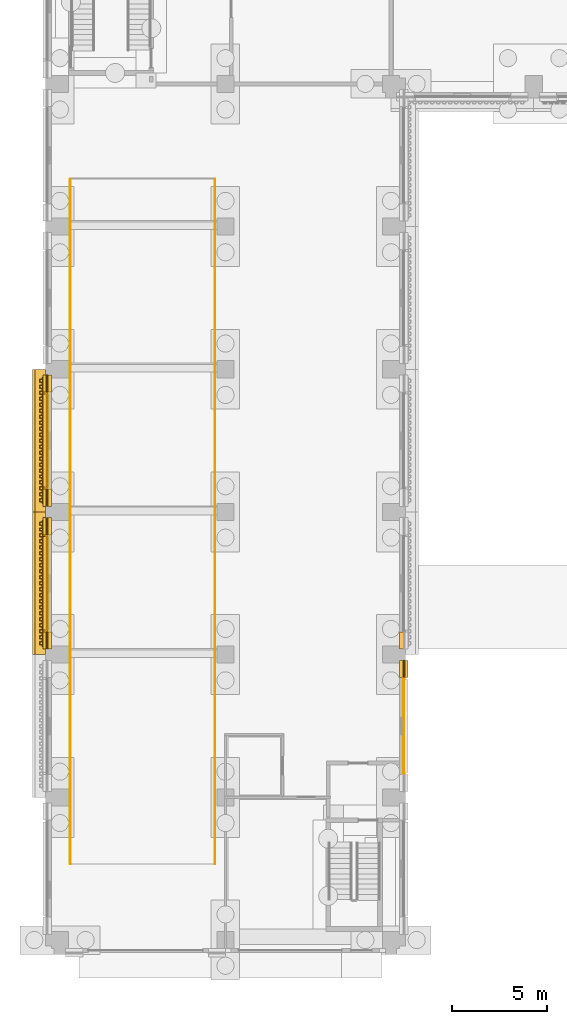
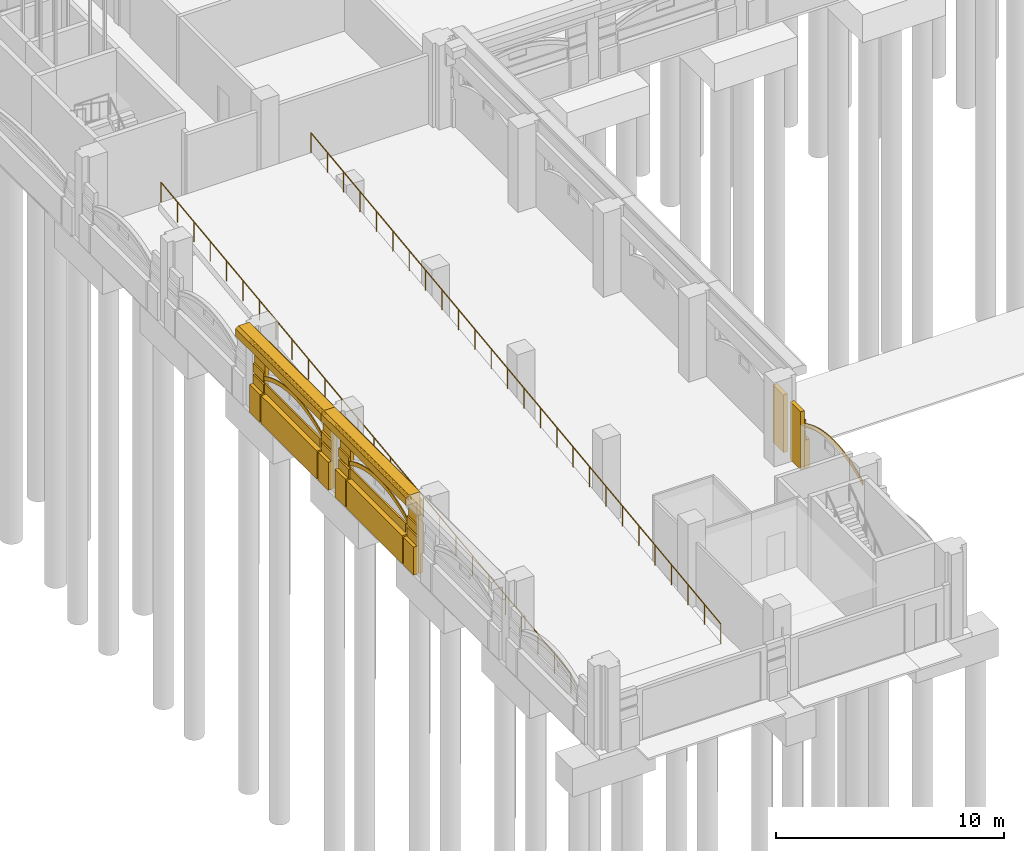
# One storey, part 61 of 99: 34 coverings, 2 railings.
"""IFC4 building model written with IfcOpenShell, lengths in metres."""

from ifc_helpers import new_model, si_unit, direction, frame, origin, origin_2d, place, context, subcontext, project, spatial, polyline, circle, outline, extrude, material, layer, layer_set, type_object, element, save


model = new_model("IFC4")

# Units and contexts
model_context = context("Model", 3, precision=1e-05, world=origin(), true_north=direction((0.0, 1.0)))
body_context = subcontext(model_context, "Body", "Model", "MODEL_VIEW")
ifc_project = project(units=[si_unit("LENGTHUNIT", "METRE"), si_unit("AREAUNIT", "SQUARE_METRE"), si_unit("VOLUMEUNIT", "CUBIC_METRE"), si_unit("PLANEANGLEUNIT", "RADIAN"), si_unit("MASSUNIT", "GRAM", prefix="KILO")], contexts=[model_context])

# Site, building, storey
site_placement = place(None, origin())
site = spatial("IfcSite", under=ifc_project, at=site_placement, CompositionType="ELEMENT")
building_placement = place(site_placement, origin())
building = spatial("IfcBuilding", under=site, at=building_placement, Name="Cour d'Honneur Mobility Palace", CompositionType="ELEMENT")
storey_placement = place(building_placement, origin())
storey = spatial("IfcBuildingStorey", under=building, at=storey_placement, Name="L00", CompositionType="ELEMENT", Elevation=0.0)

# Coverings
ifc_material_1 = material(Name="Cast limestone", Category="masonry")
ifc_layer_1 = layer(ifc_material_1, 0.050048828125)
ifc_layer_set_1 = layer_set([ifc_layer_1], Name="Cast limestone")
covering_type_1 = type_object("IfcCoveringType", Name="Arch hood", PredefinedType="CLADDING", material=ifc_layer_set_1)
for number, where, z_axis, x_axis, name in (
    (1, (18.10009765625, 8.699951171875, 2.179931640625), (1.0, 0.0, 0.0), (0.0, 0.893604607308, 0.448854994176), "Arch hood AH-2"),
    (2, (-0.699951171875, 28.800048828125, 2.179931640625), (-1.0, 0.0, 0.0), (0.0, -0.893604607308, 0.448854994176), "Arch hood AH-56"),
    (3, (-0.699951171875, 21.300048828125, 2.179931640625), (-1.0, 0.0, 0.0), (0.0, -0.893604607308, 0.448854994176), "Arch hood AH-57"),
):
    element("IfcCovering", number, at=place(storey_placement, frame(where, z_axis=z_axis, x_axis=x_axis)), inside=storey, type_object=covering_type_1, Name=name, PredefinedType="CLADDING", context=body_context, shape_type="SweptSolid", body=[
        extrude(outline(polyline([(0.0, 0.0), (0.35681066731556765, 2.7755575615628914e-17), (0.7020064606072944, -0.022579595743628944), (1.0367907964215308, -0.06643079839719385), (1.3617125957426337, -0.129916867910564), (1.677101612077335, -0.2118373946082709), (1.9837229270167351, -0.31175705040594615), (2.2813593776637964, -0.4290203374513023), (2.570556878131994, -0.5636282580346337), (2.8512068469728096, -0.7152530632297959), (3.1229815352600987, -0.884003334485308), (3.3862076896297117, -1.070316404466126), (3.640229812229361, -1.2744094360692875), (3.885155482217271, -1.4971560923344107), (4.120218615712047, -1.7395376154593394), (4.344433961354672, -2.0029715780165787), (4.557470763348117, -2.2892043037950724), (4.656205712018263, -2.0926374700096892), (4.44327849376363, -1.8061865790438643), (4.218953564382193, -1.5429707816739562), (3.9838904308874175, -1.3005892585490275), (3.73907434463832, -1.0776244370965733), (3.484942638299858, -0.873749570680743), (3.221716483930245, -0.6874365006999249), (2.949941795642956, -0.5186862294444128), (2.6692918268021404, -0.3670614242492506), (2.3800943263339427, -0.23245350366591921), (2.0824578756868815, -0.11519021662056306), (1.7758365607474815, -0.015270560822887802), (1.460557128151593, 0.06686813106215028), (1.1355257450916771, 0.1301360353881893), (0.8007414092774409, 0.17398723804175414), (0.4556551997245267, 0.1967849989727143), (0.09873494867014648, 0.19656683378538312), (0.0, 0.0)])), origin(), (0.0, 0.0, -1.0), 0.050048828125),
    ])
ifc_material_2 = material(Name="Cast limestone", Category="masonry")
ifc_layer_2 = layer(ifc_material_2, 0.14990234375)
ifc_layer_set_2 = layer_set([ifc_layer_2], Name="Cast limestone")
covering_type_2 = type_object("IfcCoveringType", Name="Dentil course", PredefinedType="CLADDING", material=ifc_layer_set_2)
covering_1_placement = place(storey_placement, frame((0.0, 0.0, 3.949951171875)))
element("IfcCovering", 4, at=covering_1_placement, inside=storey, type_object=covering_type_2, Name="Dentil course DC-67", PredefinedType="CLADDING", context=body_context, shape_type="SweptSolid", body=[
    extrude(outline(polyline([(-0.89990234375, 29.550048828125), (-0.89990234375, 22.949951171875), (-0.929931640625, 22.949951171875), (-0.929931640625, 22.949951171875), (-0.929931640625, 23.028564453125), (-1.050048828125, 23.028564453125), (-1.050048828125, 23.185791015625), (-0.929931640625, 23.185791015625), (-0.929931640625, 23.264404296875), (-0.929931640625, 23.264404296875), (-0.929931640625, 23.3427734375), (-1.050048828125, 23.3427734375), (-1.050048828125, 23.5), (-0.929931640625, 23.5), (-0.929931640625, 23.57861328125), (-0.929931640625, 23.57861328125), (-0.929931640625, 23.6572265625), (-1.050048828125, 23.6572265625), (-1.050048828125, 23.814208984375), (-0.929931640625, 23.814208984375), (-0.929931640625, 23.892822265625), (-0.929931640625, 23.892822265625), (-0.929931640625, 23.971435546875), (-1.050048828125, 23.971435546875), (-1.050048828125, 24.128662109375), (-0.929931640625, 24.128662109375), (-0.929931640625, 24.20703125), (-0.929931640625, 24.20703125), (-0.929931640625, 24.28564453125), (-1.050048828125, 24.28564453125), (-1.050048828125, 24.44287109375), (-0.929931640625, 24.44287109375), (-0.929931640625, 24.521484375), (-0.929931640625, 24.521484375), (-0.929931640625, 24.60009765625), (-1.050048828125, 24.60009765625), (-1.050048828125, 24.757080078125), (-0.929931640625, 24.757080078125), (-0.929931640625, 24.835693359375), (-0.929931640625, 24.835693359375), (-0.929931640625, 24.914306640625), (-1.050048828125, 24.914306640625), (-1.050048828125, 25.071533203125), (-0.929931640625, 25.071533203125), (-0.929931640625, 25.14990234375), (-0.929931640625, 25.14990234375), (-0.929931640625, 25.228515625), (-1.050048828125, 25.228515625), (-1.050048828125, 25.3857421875), (-0.929931640625, 25.3857421875), (-0.929931640625, 25.46435546875), (-0.929931640625, 25.46435546875), (-0.929931640625, 25.54296875), (-1.050048828125, 25.54296875), (-1.050048828125, 25.699951171875), (-0.929931640625, 25.699951171875), (-0.929931640625, 25.778564453125), (-0.929931640625, 25.778564453125), (-0.929931640625, 25.857177734375), (-1.050048828125, 25.857177734375), (-1.050048828125, 26.014404296875), (-0.929931640625, 26.014404296875), (-0.929931640625, 26.0927734375), (-0.929931640625, 26.0927734375), (-0.929931640625, 26.17138671875), (-1.050048828125, 26.17138671875), (-1.050048828125, 26.32861328125), (-0.929931640625, 26.32861328125), (-0.929931640625, 26.4072265625), (-0.929931640625, 26.4072265625), (-0.929931640625, 26.485595703125), (-1.050048828125, 26.485595703125), (-1.050048828125, 26.642822265625), (-0.929931640625, 26.642822265625), (-0.929931640625, 26.721435546875), (-0.929931640625, 26.721435546875), (-0.929931640625, 26.800048828125), (-1.050048828125, 26.800048828125), (-1.050048828125, 26.95703125), (-0.929931640625, 26.95703125), (-0.929931640625, 27.03564453125), (-0.929931640625, 27.03564453125), (-0.929931640625, 27.1142578125), (-1.050048828125, 27.1142578125), (-1.050048828125, 27.271484375), (-0.929931640625, 27.271484375), (-0.929931640625, 27.35009765625), (-0.929931640625, 27.35009765625), (-0.929931640625, 27.428466796875), (-1.050048828125, 27.428466796875), (-1.050048828125, 27.585693359375), (-0.929931640625, 27.585693359375), (-0.929931640625, 27.664306640625), (-0.929931640625, 27.664306640625), (-0.929931640625, 27.742919921875), (-1.050048828125, 27.742919921875), (-1.050048828125, 27.89990234375), (-0.929931640625, 27.89990234375), (-0.929931640625, 27.978515625), (-0.929931640625, 27.978515625), (-0.929931640625, 28.05712890625), (-1.050048828125, 28.05712890625), (-1.050048828125, 28.21435546875), (-0.929931640625, 28.21435546875), (-0.929931640625, 28.29296875), (-0.929931640625, 28.29296875), (-0.929931640625, 28.371337890625), (-1.050048828125, 28.371337890625), (-1.050048828125, 28.528564453125), (-0.929931640625, 28.528564453125), (-0.929931640625, 28.607177734375), (-0.929931640625, 28.607177734375), (-0.929931640625, 28.685791015625), (-1.050048828125, 28.685791015625), (-1.050048828125, 28.8427734375), (-0.929931640625, 28.8427734375), (-0.929931640625, 28.92138671875), (-0.929931640625, 28.92138671875), (-0.929931640625, 29.0), (-1.050048828125, 29.0), (-1.050048828125, 29.1572265625), (-0.929931640625, 29.1572265625), (-0.929931640625, 29.235595703125), (-0.929931640625, 29.235595703125), (-0.929931640625, 29.314208984375), (-1.050048828125, 29.314208984375), (-1.050048828125, 29.471435546875), (-0.929931640625, 29.471435546875), (-0.929931640625, 29.550048828125), (-0.89990234375, 29.550048828125)])), origin(), (0.0, 0.0, 1.0), 0.150146484375),
])
covering_2_placement = place(storey_placement, frame((0.0, 0.0, 3.949951171875)))
element("IfcCovering", 5, at=covering_2_placement, inside=storey, type_object=covering_type_2, Name="Dentil course DC-68", PredefinedType="CLADDING", context=body_context, shape_type="SweptSolid", body=[
    extrude(outline(polyline([(-0.89990234375, 22.050048828125), (-0.89990234375, 15.449951171875), (-0.929931640625, 15.449951171875), (-0.929931640625, 15.449951171875), (-0.929931640625, 15.528564453125), (-1.050048828125, 15.528564453125), (-1.050048828125, 15.685791015625), (-0.929931640625, 15.685791015625), (-0.929931640625, 15.764404296875), (-0.929931640625, 15.764404296875), (-0.929931640625, 15.8427734375), (-1.050048828125, 15.8427734375), (-1.050048828125, 16.0), (-0.929931640625, 16.0), (-0.929931640625, 16.07861328125), (-0.929931640625, 16.07861328125), (-0.929931640625, 16.1572265625), (-1.050048828125, 16.1572265625), (-1.050048828125, 16.314208984375), (-0.929931640625, 16.314208984375), (-0.929931640625, 16.392822265625), (-0.929931640625, 16.392822265625), (-0.929931640625, 16.471435546875), (-1.050048828125, 16.471435546875), (-1.050048828125, 16.628662109375), (-0.929931640625, 16.628662109375), (-0.929931640625, 16.70703125), (-0.929931640625, 16.70703125), (-0.929931640625, 16.78564453125), (-1.050048828125, 16.78564453125), (-1.050048828125, 16.94287109375), (-0.929931640625, 16.94287109375), (-0.929931640625, 17.021484375), (-0.929931640625, 17.021484375), (-0.929931640625, 17.10009765625), (-1.050048828125, 17.10009765625), (-1.050048828125, 17.257080078125), (-0.929931640625, 17.257080078125), (-0.929931640625, 17.335693359375), (-0.929931640625, 17.335693359375), (-0.929931640625, 17.414306640625), (-1.050048828125, 17.414306640625), (-1.050048828125, 17.571533203125), (-0.929931640625, 17.571533203125), (-0.929931640625, 17.64990234375), (-0.929931640625, 17.64990234375), (-0.929931640625, 17.728515625), (-1.050048828125, 17.728515625), (-1.050048828125, 17.8857421875), (-0.929931640625, 17.8857421875), (-0.929931640625, 17.96435546875), (-0.929931640625, 17.96435546875), (-0.929931640625, 18.04296875), (-1.050048828125, 18.04296875), (-1.050048828125, 18.199951171875), (-0.929931640625, 18.199951171875), (-0.929931640625, 18.278564453125), (-0.929931640625, 18.278564453125), (-0.929931640625, 18.357177734375), (-1.050048828125, 18.357177734375), (-1.050048828125, 18.514404296875), (-0.929931640625, 18.514404296875), (-0.929931640625, 18.5927734375), (-0.929931640625, 18.5927734375), (-0.929931640625, 18.67138671875), (-1.050048828125, 18.67138671875), (-1.050048828125, 18.82861328125), (-0.929931640625, 18.82861328125), (-0.929931640625, 18.9072265625), (-0.929931640625, 18.9072265625), (-0.929931640625, 18.985595703125), (-1.050048828125, 18.985595703125), (-1.050048828125, 19.142822265625), (-0.929931640625, 19.142822265625), (-0.929931640625, 19.221435546875), (-0.929931640625, 19.221435546875), (-0.929931640625, 19.300048828125), (-1.050048828125, 19.300048828125), (-1.050048828125, 19.45703125), (-0.929931640625, 19.45703125), (-0.929931640625, 19.53564453125), (-0.929931640625, 19.53564453125), (-0.929931640625, 19.6142578125), (-1.050048828125, 19.6142578125), (-1.050048828125, 19.771484375), (-0.929931640625, 19.771484375), (-0.929931640625, 19.85009765625), (-0.929931640625, 19.85009765625), (-0.929931640625, 19.928466796875), (-1.050048828125, 19.928466796875), (-1.050048828125, 20.085693359375), (-0.929931640625, 20.085693359375), (-0.929931640625, 20.164306640625), (-0.929931640625, 20.164306640625), (-0.929931640625, 20.242919921875), (-1.050048828125, 20.242919921875), (-1.050048828125, 20.39990234375), (-0.929931640625, 20.39990234375), (-0.929931640625, 20.478515625), (-0.929931640625, 20.478515625), (-0.929931640625, 20.55712890625), (-1.050048828125, 20.55712890625), (-1.050048828125, 20.71435546875), (-0.929931640625, 20.71435546875), (-0.929931640625, 20.79296875), (-0.929931640625, 20.79296875), (-0.929931640625, 20.871337890625), (-1.050048828125, 20.871337890625), (-1.050048828125, 21.028564453125), (-0.929931640625, 21.028564453125), (-0.929931640625, 21.107177734375), (-0.929931640625, 21.107177734375), (-0.929931640625, 21.185791015625), (-1.050048828125, 21.185791015625), (-1.050048828125, 21.3427734375), (-0.929931640625, 21.3427734375), (-0.929931640625, 21.42138671875), (-0.929931640625, 21.42138671875), (-0.929931640625, 21.5), (-1.050048828125, 21.5), (-1.050048828125, 21.6572265625), (-0.929931640625, 21.6572265625), (-0.929931640625, 21.735595703125), (-0.929931640625, 21.735595703125), (-0.929931640625, 21.814208984375), (-1.050048828125, 21.814208984375), (-1.050048828125, 21.971435546875), (-0.929931640625, 21.971435546875), (-0.929931640625, 22.050048828125), (-0.89990234375, 22.050048828125)])), origin(), (0.0, 0.0, 1.0), 0.150146484375),
])
ifc_material_3 = material(Name="Cast limestone", Category="masonry")
ifc_layer_3 = layer(ifc_material_3, 0.699951171875)
ifc_layer_set_3 = layer_set([ifc_layer_3], Name="Cast limestone")
covering_type_3 = type_object("IfcCoveringType", Name="Entablature", PredefinedType="CLADDING", material=ifc_layer_set_3)
for number, where, z_axis, x_axis, name in (
    (6, (-0.75, 30.0, 3.39990234375), (0.0, 1.0, 0.0), (-1.0, 0.0, 0.0), "Entablature EN-67"),
    (7, (-0.75, 22.5, 3.39990234375), (0.0, 1.0, 0.0), (-1.0, 0.0, 0.0), "Entablature EN-68"),
):
    element("IfcCovering", number, at=place(storey_placement, frame(where, z_axis=z_axis, x_axis=x_axis)), inside=storey, type_object=covering_type_3, Name=name, PredefinedType="CLADDING", context=body_context, shape_type="SweptSolid", body=[
        extrude(outline(polyline([(0.0, 0.0), (0.14990234375, 0.0), (0.14990234375, 0.7001953125), (0.699951171875, 0.7001953125), (0.699951171875, 1.10009765625), (0.550048828125, 1.2001953125), (0.0, 1.2001953125), (0.0, 0.0)])), origin(), (0.0, 0.0, -1.0), 7.5),
    ])
ifc_material_4 = material(Name="Cast limestone", Category="masonry")
ifc_layer_4 = layer(ifc_material_4, 0.25)
ifc_layer_set_4 = layer_set([ifc_layer_4], Name="Cast limestone")
covering_type_4 = type_object("IfcCoveringType", Name="Plinth course", PredefinedType="CLADDING", material=ifc_layer_set_4)
covering_3_placement = place(storey_placement, origin())
element("IfcCovering", 8, at=covering_3_placement, inside=storey, type_object=covering_type_4, Name="Plinth course PI-7", PredefinedType="CLADDING", context=body_context, shape_type="SweptSolid", body=[
    extrude(outline(polyline([(18.050048828125, 13.800048828125), (18.050048828125, 14.699951171875), (18.300048828125, 14.699951171875), (18.300048828125, 13.800048828125), (18.050048828125, 13.800048828125)])), origin(), (0.0, 0.0, 1.0), 1.5),
])
covering_4_placement = place(storey_placement, origin())
element("IfcCovering", 9, at=covering_4_placement, inside=storey, type_object=covering_type_4, Name="Plinth course PI-219", PredefinedType="CLADDING", context=body_context, shape_type="SweptSolid", body=[
    extrude(outline(polyline([(-0.64990234375, 29.699951171875), (-0.64990234375, 28.800048828125), (-0.89990234375, 28.800048828125), (-0.89990234375, 29.699951171875), (-0.64990234375, 29.699951171875)])), origin(), (0.0, 0.0, 1.0), 1.5),
])
covering_5_placement = place(storey_placement, origin())
element("IfcCovering", 10, at=covering_5_placement, inside=storey, type_object=covering_type_4, Name="Plinth course PI-220", PredefinedType="CLADDING", context=body_context, shape_type="SweptSolid", body=[
    extrude(outline(polyline([(-0.64990234375, 23.699951171875), (-0.64990234375, 22.800048828125), (-0.89990234375, 22.800048828125), (-0.89990234375, 23.699951171875), (-0.64990234375, 23.699951171875)])), origin(), (0.0, 0.0, 1.0), 1.5),
])
covering_6_placement = place(storey_placement, origin())
element("IfcCovering", 11, at=covering_6_placement, inside=storey, type_object=covering_type_4, Name="Plinth course PI-221", PredefinedType="CLADDING", context=body_context, shape_type="SweptSolid", body=[
    extrude(outline(polyline([(-0.64990234375, 28.699951171875), (-0.64990234375, 23.800048828125), (-0.89990234375, 23.800048828125), (-0.89990234375, 28.699951171875), (-0.64990234375, 28.699951171875)])), origin(), (0.0, 0.0, 1.0), 1.5),
])
covering_7_placement = place(storey_placement, origin())
element("IfcCovering", 12, at=covering_7_placement, inside=storey, type_object=covering_type_4, Name="Plinth course PI-222", PredefinedType="CLADDING", context=body_context, shape_type="SweptSolid", body=[
    extrude(outline(polyline([(-0.64990234375, 22.199951171875), (-0.64990234375, 21.300048828125), (-0.89990234375, 21.300048828125), (-0.89990234375, 22.199951171875), (-0.64990234375, 22.199951171875)])), origin(), (0.0, 0.0, 1.0), 1.5),
])
covering_8_placement = place(storey_placement, origin())
element("IfcCovering", 13, at=covering_8_placement, inside=storey, type_object=covering_type_4, Name="Plinth course PI-223", PredefinedType="CLADDING", context=body_context, shape_type="SweptSolid", body=[
    extrude(outline(polyline([(-0.64990234375, 16.199951171875), (-0.64990234375, 15.300048828125), (-0.89990234375, 15.300048828125), (-0.89990234375, 16.199951171875), (-0.64990234375, 16.199951171875)])), origin(), (0.0, 0.0, 1.0), 1.5),
])
covering_9_placement = place(storey_placement, origin())
element("IfcCovering", 14, at=covering_9_placement, inside=storey, type_object=covering_type_4, Name="Plinth course PI-224", PredefinedType="CLADDING", context=body_context, shape_type="SweptSolid", body=[
    extrude(outline(polyline([(-0.64990234375, 21.199951171875), (-0.64990234375, 16.300048828125), (-0.89990234375, 16.300048828125), (-0.89990234375, 21.199951171875), (-0.64990234375, 21.199951171875)])), origin(), (0.0, 0.0, 1.0), 1.5),
])

# Railings
ifc_material_5 = material(Name="Painted steel", Category="steel")
railing_type = type_object("IfcRailingType", Name="Ramp guard 1100", PredefinedType="GUARDRAIL", material=ifc_material_5)
railing_1_placement = place(storey_placement, frame((0.550048828125, 4.0, 0.0)))
element("IfcRailing", 15, at=railing_1_placement, inside=storey, type_object=railing_type, Name="Ramp guard Ramp West 1", PredefinedType="GUARDRAIL", context=body_context, shape_type="SweptSolid", body=[
    extrude(circle(Radius=0.02490234375, at=origin_2d()), frame((0.0, 0.0, 1.0751953125), z_axis=(0.0, 0.992277876714, 0.124034734589), x_axis=(-1.0, 0.0, 0.0)), (0.0, 0.0, 1.0), 36.2802734375),
    extrude(circle(Radius=0.02099609375, at=origin_2d()), origin(), (0.0, 0.0, 1.0), 1.050048828125),
    extrude(circle(Radius=0.02099609375, at=origin_2d()), frame((0.0, 1.43994140625, 0.179931640625)), (0.0, 0.0, 1.0), 1.050048828125),
    extrude(circle(Radius=0.02099609375, at=origin_2d()), frame((0.0, 2.8798828125, 0.360107421875)), (0.0, 0.0, 1.0), 1.050048828125),
    extrude(circle(Radius=0.02099609375, at=origin_2d()), frame((0.0, 4.320068359375, 0.5400390625)), (0.0, 0.0, 1.0), 1.050048828125),
    extrude(circle(Radius=0.02099609375, at=origin_2d()), frame((0.0, 5.760009765625, 0.719970703125)), (0.0, 0.0, 1.0), 1.050048828125),
    extrude(circle(Radius=0.02099609375, at=origin_2d()), frame((0.0, 7.199951171875, 0.89990234375)), (0.0, 0.0, 1.0), 1.050048828125),
    extrude(circle(Radius=0.02099609375, at=origin_2d()), frame((0.0, 8.639892578125, 1.080078125)), (0.0, 0.0, 1.0), 1.050048828125),
    extrude(circle(Radius=0.02099609375, at=origin_2d()), frame((0.0, 10.080078125, 1.260009765625)), (0.0, 0.0, 1.0), 1.050048828125),
    extrude(circle(Radius=0.02099609375, at=origin_2d()), frame((0.0, 11.52001953125, 1.43994140625)), (0.0, 0.0, 1.0), 1.050048828125),
    extrude(circle(Radius=0.02099609375, at=origin_2d()), frame((0.0, 12.9599609375, 1.6201171875)), (0.0, 0.0, 1.0), 1.050048828125),
    extrude(circle(Radius=0.02099609375, at=origin_2d()), frame((0.0, 14.39990234375, 1.800048828125)), (0.0, 0.0, 1.0), 1.050048828125),
    extrude(circle(Radius=0.02099609375, at=origin_2d()), frame((0.0, 15.840087890625, 1.97998046875)), (0.0, 0.0, 1.0), 1.050048828125),
    extrude(circle(Radius=0.02099609375, at=origin_2d()), frame((0.0, 17.280029296875, 2.159912109375)), (0.0, 0.0, 1.0), 1.050048828125),
    extrude(circle(Radius=0.02099609375, at=origin_2d()), frame((0.0, 18.719970703125, 2.340087890625)), (0.0, 0.0, 1.0), 1.050048828125),
    extrude(circle(Radius=0.02099609375, at=origin_2d()), frame((0.0, 20.159912109375, 2.52001953125)), (0.0, 0.0, 1.0), 1.050048828125),
    extrude(circle(Radius=0.02099609375, at=origin_2d()), frame((0.0, 21.60009765625, 2.699951171875)), (0.0, 0.0, 1.0), 1.050048828125),
    extrude(circle(Radius=0.02099609375, at=origin_2d()), frame((0.0, 23.0400390625, 2.8798828125)), (0.0, 0.0, 1.0), 1.050048828125),
    extrude(circle(Radius=0.02099609375, at=origin_2d()), frame((0.0, 24.47998046875, 3.06005859375)), (0.0, 0.0, 1.0), 1.050048828125),
    extrude(circle(Radius=0.02099609375, at=origin_2d()), frame((0.0, 25.919921875, 3.239990234375)), (0.0, 0.0, 1.0), 1.050048828125),
    extrude(circle(Radius=0.02099609375, at=origin_2d()), frame((0.0, 27.360107421875, 3.419921875)), (0.0, 0.0, 1.0), 1.050048828125),
    extrude(circle(Radius=0.02099609375, at=origin_2d()), frame((0.0, 28.800048828125, 3.60009765625)), (0.0, 0.0, 1.0), 1.050048828125),
    extrude(circle(Radius=0.02099609375, at=origin_2d()), frame((0.0, 30.239990234375, 3.780029296875)), (0.0, 0.0, 1.0), 1.050048828125),
    extrude(circle(Radius=0.02099609375, at=origin_2d()), frame((0.0, 31.679931640625, 3.9599609375)), (0.0, 0.0, 1.0), 1.050048828125),
    extrude(circle(Radius=0.02099609375, at=origin_2d()), frame((0.0, 33.1201171875, 4.139892578125)), (0.0, 0.0, 1.0), 1.050048828125),
    extrude(circle(Radius=0.02099609375, at=origin_2d()), frame((0.0, 34.56005859375, 4.320068359375)), (0.0, 0.0, 1.0), 1.050048828125),
    extrude(circle(Radius=0.02099609375, at=origin_2d()), frame((0.0, 36.0, 4.5)), (0.0, 0.0, 1.0), 1.050048828125),
])
railing_2_placement = place(storey_placement, frame((8.14990234375, 4.0, 0.0)))
element("IfcRailing", 16, at=railing_2_placement, inside=storey, type_object=railing_type, Name="Ramp guard Ramp West 1", PredefinedType="GUARDRAIL", context=body_context, shape_type="SweptSolid", body=[
    extrude(circle(Radius=0.02490234375, at=origin_2d()), frame((0.0, 0.0, 1.0751953125), z_axis=(0.0, 0.992277876714, 0.124034734589), x_axis=(-1.0, 0.0, 0.0)), (0.0, 0.0, 1.0), 36.2802734375),
    extrude(circle(Radius=0.02099609375, at=origin_2d()), origin(), (0.0, 0.0, 1.0), 1.050048828125),
    extrude(circle(Radius=0.02099609375, at=origin_2d()), frame((0.0, 1.43994140625, 0.179931640625)), (0.0, 0.0, 1.0), 1.050048828125),
    extrude(circle(Radius=0.02099609375, at=origin_2d()), frame((0.0, 2.8798828125, 0.360107421875)), (0.0, 0.0, 1.0), 1.050048828125),
    extrude(circle(Radius=0.02099609375, at=origin_2d()), frame((0.0, 4.320068359375, 0.5400390625)), (0.0, 0.0, 1.0), 1.050048828125),
    extrude(circle(Radius=0.02099609375, at=origin_2d()), frame((0.0, 5.760009765625, 0.719970703125)), (0.0, 0.0, 1.0), 1.050048828125),
    extrude(circle(Radius=0.02099609375, at=origin_2d()), frame((0.0, 7.199951171875, 0.89990234375)), (0.0, 0.0, 1.0), 1.050048828125),
    extrude(circle(Radius=0.02099609375, at=origin_2d()), frame((0.0, 8.639892578125, 1.080078125)), (0.0, 0.0, 1.0), 1.050048828125),
    extrude(circle(Radius=0.02099609375, at=origin_2d()), frame((0.0, 10.080078125, 1.260009765625)), (0.0, 0.0, 1.0), 1.050048828125),
    extrude(circle(Radius=0.02099609375, at=origin_2d()), frame((0.0, 11.52001953125, 1.43994140625)), (0.0, 0.0, 1.0), 1.050048828125),
    extrude(circle(Radius=0.02099609375, at=origin_2d()), frame((0.0, 12.9599609375, 1.6201171875)), (0.0, 0.0, 1.0), 1.050048828125),
    extrude(circle(Radius=0.02099609375, at=origin_2d()), frame((0.0, 14.39990234375, 1.800048828125)), (0.0, 0.0, 1.0), 1.050048828125),
    extrude(circle(Radius=0.02099609375, at=origin_2d()), frame((0.0, 15.840087890625, 1.97998046875)), (0.0, 0.0, 1.0), 1.050048828125),
    extrude(circle(Radius=0.02099609375, at=origin_2d()), frame((0.0, 17.280029296875, 2.159912109375)), (0.0, 0.0, 1.0), 1.050048828125),
    extrude(circle(Radius=0.02099609375, at=origin_2d()), frame((0.0, 18.719970703125, 2.340087890625)), (0.0, 0.0, 1.0), 1.050048828125),
    extrude(circle(Radius=0.02099609375, at=origin_2d()), frame((0.0, 20.159912109375, 2.52001953125)), (0.0, 0.0, 1.0), 1.050048828125),
    extrude(circle(Radius=0.02099609375, at=origin_2d()), frame((0.0, 21.60009765625, 2.699951171875)), (0.0, 0.0, 1.0), 1.050048828125),
    extrude(circle(Radius=0.02099609375, at=origin_2d()), frame((0.0, 23.0400390625, 2.8798828125)), (0.0, 0.0, 1.0), 1.050048828125),
    extrude(circle(Radius=0.02099609375, at=origin_2d()), frame((0.0, 24.47998046875, 3.06005859375)), (0.0, 0.0, 1.0), 1.050048828125),
    extrude(circle(Radius=0.02099609375, at=origin_2d()), frame((0.0, 25.919921875, 3.239990234375)), (0.0, 0.0, 1.0), 1.050048828125),
    extrude(circle(Radius=0.02099609375, at=origin_2d()), frame((0.0, 27.360107421875, 3.419921875)), (0.0, 0.0, 1.0), 1.050048828125),
    extrude(circle(Radius=0.02099609375, at=origin_2d()), frame((0.0, 28.800048828125, 3.60009765625)), (0.0, 0.0, 1.0), 1.050048828125),
    extrude(circle(Radius=0.02099609375, at=origin_2d()), frame((0.0, 30.239990234375, 3.780029296875)), (0.0, 0.0, 1.0), 1.050048828125),
    extrude(circle(Radius=0.02099609375, at=origin_2d()), frame((0.0, 31.679931640625, 3.9599609375)), (0.0, 0.0, 1.0), 1.050048828125),
    extrude(circle(Radius=0.02099609375, at=origin_2d()), frame((0.0, 33.1201171875, 4.139892578125)), (0.0, 0.0, 1.0), 1.050048828125),
    extrude(circle(Radius=0.02099609375, at=origin_2d()), frame((0.0, 34.56005859375, 4.320068359375)), (0.0, 0.0, 1.0), 1.050048828125),
    extrude(circle(Radius=0.02099609375, at=origin_2d()), frame((0.0, 36.0, 4.5)), (0.0, 0.0, 1.0), 1.050048828125),
])

# Coverings
ifc_material_6 = material(Name="Cast limestone", Category="masonry")
ifc_layer_5 = layer(ifc_material_6, 0.199951171875)
ifc_layer_set_5 = layer_set([ifc_layer_5], Name="Cast limestone")
covering_type_5 = type_object("IfcCoveringType", Name="Rusticated jamb panel", PredefinedType="CLADDING", material=ifc_layer_set_5)
for number, where, z_axis, x_axis, name in (
    (17, (18.050048828125, 13.800048828125, 0.0), (1.0, 0.0, 0.0), (0.0, 1.0, 0.0), "Rusticated jamb panel RP-8"),
    (18, (18.050048828125, 15.300048828125, 0.0), (1.0, 0.0, 0.0), (0.0, 1.0, 0.0), "Rusticated jamb panel RP-9"),
    (19, (-0.64990234375, 29.699951171875, 0.0), (-1.0, 0.0, 0.0), (0.0, -1.0, 0.0), "Rusticated jamb panel RP-184"),
    (20, (-0.64990234375, 23.699951171875, 0.0), (-1.0, 0.0, 0.0), (0.0, -1.0, 0.0), "Rusticated jamb panel RP-185"),
    (21, (-0.64990234375, 22.199951171875, 0.0), (-1.0, 0.0, 0.0), (0.0, -1.0, 0.0), "Rusticated jamb panel RP-186"),
    (22, (-0.64990234375, 16.199951171875, 0.0), (-1.0, 0.0, 0.0), (0.0, -1.0, 0.0), "Rusticated jamb panel RP-187"),
):
    element("IfcCovering", number, at=place(storey_placement, frame(where, z_axis=z_axis, x_axis=x_axis)), inside=storey, type_object=covering_type_5, Name=name, PredefinedType="CLADDING", context=body_context, shape_type="SweptSolid", body=[
        extrude(outline(polyline([(0.0, 0.0), (0.89990234375, 0.0), (0.89990234375, 3.10009765625), (0.0, 3.10009765625), (0.0, 0.0)])), origin(), (0.0, 0.0, -1.0), 0.199951171875),
    ])
ifc_material_7 = material(Name="Cast limestone", Category="masonry")
ifc_layer_6 = layer(ifc_material_7, 0.080078125)
ifc_layer_set_6 = layer_set([ifc_layer_6], Name="Cast limestone")
covering_type_6 = type_object("IfcCoveringType", Name="Rustication course", PredefinedType="CLADDING", material=ifc_layer_set_6)
for number, where, name in (
    (23, (0.0, 0.0, 1.5), "Rustication course RC-12"),
    (24, (0.0, 0.0, 2.10009765625), "Rustication course RC-13"),
):
    element("IfcCovering", number, at=place(storey_placement, frame(where)), inside=storey, type_object=covering_type_6, Name=name, PredefinedType="CLADDING", context=body_context, shape_type="SweptSolid", body=[
        extrude(outline(polyline([(18.050048828125, 13.800048828125), (18.050048828125, 14.699951171875), (18.1298828125, 14.699951171875), (18.1298828125, 13.800048828125), (18.050048828125, 13.800048828125)])), origin(), (0.0, 0.0, 1.0), 0.47998046875),
    ])
for number, where, name in (
    (25, (0.0, 0.0, 1.5), "Rustication course RC-398"),
    (26, (0.0, 0.0, 2.10009765625), "Rustication course RC-399"),
):
    element("IfcCovering", number, at=place(storey_placement, frame(where)), inside=storey, type_object=covering_type_6, Name=name, PredefinedType="CLADDING", context=body_context, shape_type="SweptSolid", body=[
        extrude(outline(polyline([(-0.64990234375, 29.699951171875), (-0.64990234375, 28.800048828125), (-0.72998046875, 28.800048828125), (-0.72998046875, 29.699951171875), (-0.64990234375, 29.699951171875)])), origin(), (0.0, 0.0, 1.0), 0.47998046875),
    ])
for number, where, name in (
    (27, (0.0, 0.0, 1.5), "Rustication course RC-400"),
    (28, (0.0, 0.0, 2.10009765625), "Rustication course RC-401"),
):
    element("IfcCovering", number, at=place(storey_placement, frame(where)), inside=storey, type_object=covering_type_6, Name=name, PredefinedType="CLADDING", context=body_context, shape_type="SweptSolid", body=[
        extrude(outline(polyline([(-0.64990234375, 23.699951171875), (-0.64990234375, 22.800048828125), (-0.72998046875, 22.800048828125), (-0.72998046875, 23.699951171875), (-0.64990234375, 23.699951171875)])), origin(), (0.0, 0.0, 1.0), 0.47998046875),
    ])
covering_10_placement = place(storey_placement, frame((0.0, 0.0, 1.6201171875)))
element("IfcCovering", 29, at=covering_10_placement, inside=storey, type_object=covering_type_6, Name="Rustication course RC-402", PredefinedType="CLADDING", context=body_context, shape_type="SweptSolid", body=[
    extrude(outline(polyline([(-0.64990234375, 28.699951171875), (-0.64990234375, 23.800048828125), (-0.72998046875, 23.800048828125), (-0.72998046875, 28.699951171875), (-0.64990234375, 28.699951171875)])), origin(), (0.0, 0.0, 1.0), 0.47998046875),
])
for number, where, name in (
    (30, (0.0, 0.0, 1.5), "Rustication course RC-403"),
    (31, (0.0, 0.0, 2.10009765625), "Rustication course RC-404"),
):
    element("IfcCovering", number, at=place(storey_placement, frame(where)), inside=storey, type_object=covering_type_6, Name=name, PredefinedType="CLADDING", context=body_context, shape_type="SweptSolid", body=[
        extrude(outline(polyline([(-0.64990234375, 22.199951171875), (-0.64990234375, 21.300048828125), (-0.72998046875, 21.300048828125), (-0.72998046875, 22.199951171875), (-0.64990234375, 22.199951171875)])), origin(), (0.0, 0.0, 1.0), 0.47998046875),
    ])
for number, where, name in (
    (32, (0.0, 0.0, 1.5), "Rustication course RC-405"),
    (33, (0.0, 0.0, 2.10009765625), "Rustication course RC-406"),
):
    element("IfcCovering", number, at=place(storey_placement, frame(where)), inside=storey, type_object=covering_type_6, Name=name, PredefinedType="CLADDING", context=body_context, shape_type="SweptSolid", body=[
        extrude(outline(polyline([(-0.64990234375, 16.199951171875), (-0.64990234375, 15.300048828125), (-0.72998046875, 15.300048828125), (-0.72998046875, 16.199951171875), (-0.64990234375, 16.199951171875)])), origin(), (0.0, 0.0, 1.0), 0.47998046875),
    ])
covering_11_placement = place(storey_placement, frame((0.0, 0.0, 1.6201171875)))
element("IfcCovering", 34, at=covering_11_placement, inside=storey, type_object=covering_type_6, Name="Rustication course RC-407", PredefinedType="CLADDING", context=body_context, shape_type="SweptSolid", body=[
    extrude(outline(polyline([(-0.64990234375, 21.199951171875), (-0.64990234375, 16.300048828125), (-0.72998046875, 16.300048828125), (-0.72998046875, 21.199951171875), (-0.64990234375, 21.199951171875)])), origin(), (0.0, 0.0, 1.0), 0.47998046875),
])
ifc_material_8 = material(Name="Cast limestone", Category="masonry")
ifc_layer_7 = layer(ifc_material_8, 0.25)
ifc_layer_set_7 = layer_set([ifc_layer_7], Name="Cast limestone")
covering_type_7 = type_object("IfcCoveringType", Name="Spandrel cladding", PredefinedType="CLADDING", material=ifc_layer_set_7)
for number, where, z_axis, x_axis, name in (
    (35, (-0.449951171875, 29.699951171875, 3.10009765625), (0.0, 1.0, 0.0), (-1.0, 0.0, 0.0), "Spandrel cladding SK-67"),
    (36, (-0.449951171875, 22.199951171875, 3.10009765625), (0.0, 1.0, 0.0), (-1.0, 0.0, 0.0), "Spandrel cladding SK-68"),
):
    element("IfcCovering", number, at=place(storey_placement, frame(where, z_axis=z_axis, x_axis=x_axis)), inside=storey, type_object=covering_type_7, Name=name, PredefinedType="CLADDING", context=body_context, shape_type="SweptSolid", body=[
        extrude(outline(polyline([(0.0, 0.0), (0.25, 0.0), (0.25, 1.39990234375), (0.199951171875, 1.39990234375), (0.199951171875, 0.7998046875), (0.0, 0.7998046875), (0.0, 0.0)])), origin(), (0.0, 0.0, -1.0), 6.89990234375),
    ])

save(model, "model.ifc")
